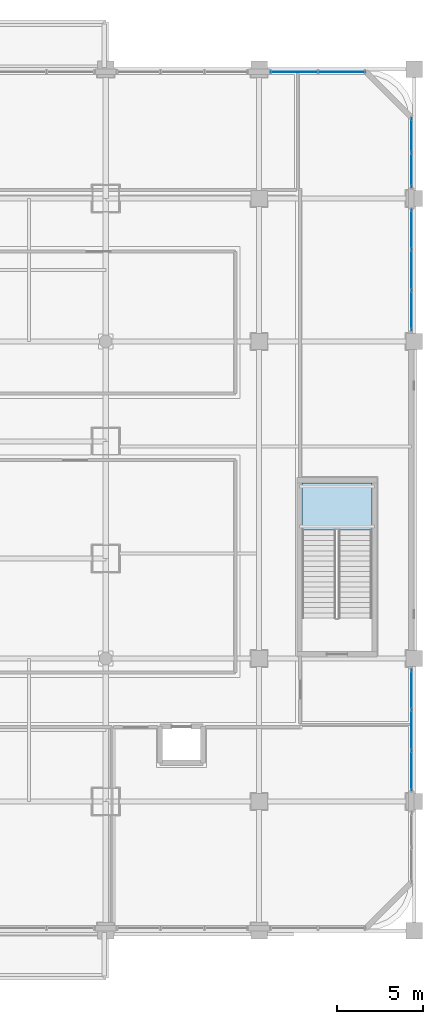
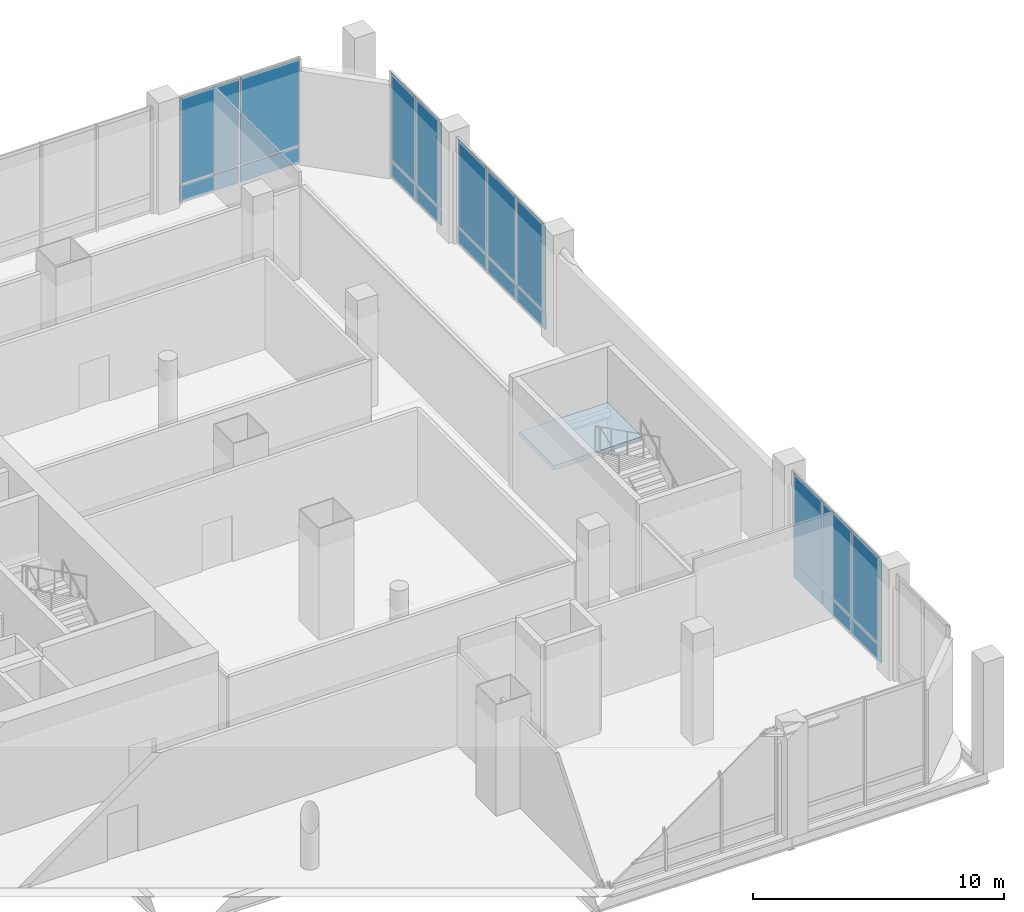
# One storey, part 26 of 43: 20 plates, 1 slab, 5 elements without a shape of their own.
"""IFC4 building model written with IfcOpenShell, lengths in metres."""

from ifc_helpers import new_model, si_unit, direction, frame, origin, origin_2d, place, context, subcontext, project, spatial, polyline, rectangle, outline, extrude, material, layer, layer_set, type_object, element, aggregate, save


model = new_model("IFC4")

# Units and contexts
model_context = context("Model", 3, precision=1e-05, world=origin(), true_north=direction((0.0, 1.0)))
body_context = subcontext(model_context, "Body", "Model", "MODEL_VIEW")
ifc_project = project(units=[si_unit("LENGTHUNIT", "METRE"), si_unit("AREAUNIT", "SQUARE_METRE"), si_unit("VOLUMEUNIT", "CUBIC_METRE"), si_unit("PLANEANGLEUNIT", "RADIAN"), si_unit("MASSUNIT", "GRAM", prefix="KILO")], contexts=[model_context])

# Site, building, storey
site_placement = place(None, origin())
site = spatial("IfcSite", under=ifc_project, at=site_placement, CompositionType="ELEMENT")
building_placement = place(site_placement, origin())
building = spatial("IfcBuilding", under=site, at=building_placement, Name="Punatoya Terracotta Tower", CompositionType="ELEMENT")
storey_placement = place(building_placement, frame((0.0, 0.0, 6.0)))
storey = spatial("IfcBuildingStorey", under=building, at=storey_placement, Name="L01", CompositionType="ELEMENT", Elevation=6.0)

# Curtain wall, plates
ifc_material_1 = material(Name="Aluminium 6063-T6 + Double Low-E Glass", Category="aluminium")
curtain_wall_type = type_object("IfcCurtainWallType", Name="CW-POD", PredefinedType="NOTDEFINED", material=ifc_material_1)
curtain_wall_1_placement = place(storey_placement, origin())
curtain_wall_1 = element("IfcCurtainWall", 1, at=curtain_wall_1_placement, inside=storey, type_object=curtain_wall_type, Name="L01 Curtain Wall CWP-L01-N7", PredefinedType="NOTDEFINED")
ifc_material_2 = material(Name="Double Low-E Clear Vision Glass", Category="glass")
ifc_layer_1 = layer(ifc_material_2, 0.028076171875)
ifc_layer_set_1 = layer_set([ifc_layer_1], Name="Double Low-E Clear Vision Glass")
plate_type_1 = type_object("IfcPlateType", Name="PLT-GLZ-28", PredefinedType="CURTAIN_PANEL", material=ifc_layer_set_1)
plate_1_placement = place(storey_placement, frame((32.804931640625, 24.840087890625, 0.89013671875), z_axis=(0.0, 0.0, 1.0), x_axis=(-1.0, 0.0, 0.0)))
plate_1 = element("IfcPlate", 2, at=plate_1_placement, type_object=plate_type_1, Name="CWP-L01-N7 Vision Glass Panel 1", PredefinedType="CURTAIN_PANEL", context=body_context, shape_type="SweptSolid", body=[
    extrude(rectangle(XDim=2.705078125, YDim=0.028076171875, at=origin_2d()), origin(), (0.0, 0.0, 1.0), 4.18994140625),
])
plate_2_placement = place(storey_placement, frame((30.014892578125, 24.840087890625, 0.89013671875), z_axis=(0.0, 0.0, 1.0), x_axis=(-1.0, 0.0, 0.0)))
plate_2 = element("IfcPlate", 3, at=plate_2_placement, type_object=plate_type_1, Name="CWP-L01-N7 Vision Glass Panel 2", PredefinedType="CURTAIN_PANEL", context=body_context, shape_type="SweptSolid", body=[
    extrude(rectangle(XDim=2.705078125, YDim=0.028076171875, at=origin_2d()), origin(), (0.0, 0.0, 1.0), 4.18994140625),
])

curtain_wall_2_placement = place(storey_placement, origin())
curtain_wall_2 = element("IfcCurtainWall", 4, at=curtain_wall_2_placement, inside=storey, type_object=curtain_wall_type, Name="L01 Curtain Wall CWP-L01-E2", PredefinedType="NOTDEFINED")
plate_3_placement = place(storey_placement, frame((36.840087890625, -10.99658203125, 0.89013671875), z_axis=(0.0, 0.0, 1.0), x_axis=(0.0, -1.0, 0.0)))
plate_3 = element("IfcPlate", 5, at=plate_3_placement, type_object=plate_type_1, Name="CWP-L01-E2 Vision Glass Panel 1", PredefinedType="CURTAIN_PANEL", context=body_context, shape_type="SweptSolid", body=[
    extrude(rectangle(XDim=2.268310546875, YDim=0.028076171875, at=origin_2d()), origin(), (0.0, 0.0, 1.0), 4.18994140625),
])
plate_4_placement = place(storey_placement, frame((36.840087890625, -13.35009765625, 0.89013671875), z_axis=(0.0, 0.0, 1.0), x_axis=(0.0, -1.0, 0.0)))
plate_4 = element("IfcPlate", 6, at=plate_4_placement, type_object=plate_type_1, Name="CWP-L01-E2 Vision Glass Panel 2", PredefinedType="CURTAIN_PANEL", context=body_context, shape_type="SweptSolid", body=[
    extrude(rectangle(XDim=2.268310546875, YDim=0.028076171875, at=origin_2d()), origin(), (0.0, 0.0, 1.0), 4.18994140625),
])
plate_5_placement = place(storey_placement, frame((36.840087890625, -15.703369140625, 0.89013671875), z_axis=(0.0, 0.0, 1.0), x_axis=(0.0, -1.0, 0.0)))
plate_5 = element("IfcPlate", 7, at=plate_5_placement, type_object=plate_type_1, Name="CWP-L01-E2 Vision Glass Panel 3", PredefinedType="CURTAIN_PANEL", context=body_context, shape_type="SweptSolid", body=[
    extrude(rectangle(XDim=2.268310546875, YDim=0.028076171875, at=origin_2d()), origin(), (0.0, 0.0, 1.0), 4.18994140625),
])

curtain_wall_3_placement = place(storey_placement, origin())
curtain_wall_3 = element("IfcCurtainWall", 8, at=curtain_wall_3_placement, inside=storey, type_object=curtain_wall_type, Name="L01 Curtain Wall CWP-L01-E3", PredefinedType="NOTDEFINED")
plate_6_placement = place(storey_placement, frame((36.840087890625, 15.703369140625, 0.89013671875), z_axis=(0.0, 0.0, 1.0), x_axis=(0.0, -1.0, 0.0)))
plate_6 = element("IfcPlate", 9, at=plate_6_placement, type_object=plate_type_1, Name="CWP-L01-E3 Vision Glass Panel 1", PredefinedType="CURTAIN_PANEL", context=body_context, shape_type="SweptSolid", body=[
    extrude(rectangle(XDim=2.268310546875, YDim=0.028076171875, at=origin_2d()), origin(), (0.0, 0.0, 1.0), 4.18994140625),
])
plate_7_placement = place(storey_placement, frame((36.840087890625, 13.35009765625, 0.89013671875), z_axis=(0.0, 0.0, 1.0), x_axis=(0.0, -1.0, 0.0)))
plate_7 = element("IfcPlate", 10, at=plate_7_placement, type_object=plate_type_1, Name="CWP-L01-E3 Vision Glass Panel 2", PredefinedType="CURTAIN_PANEL", context=body_context, shape_type="SweptSolid", body=[
    extrude(rectangle(XDim=2.268310546875, YDim=0.028076171875, at=origin_2d()), origin(), (0.0, 0.0, 1.0), 4.18994140625),
])
plate_8_placement = place(storey_placement, frame((36.840087890625, 10.99658203125, 0.89013671875), z_axis=(0.0, 0.0, 1.0), x_axis=(0.0, -1.0, 0.0)))
plate_8 = element("IfcPlate", 11, at=plate_8_placement, type_object=plate_type_1, Name="CWP-L01-E3 Vision Glass Panel 3", PredefinedType="CURTAIN_PANEL", context=body_context, shape_type="SweptSolid", body=[
    extrude(rectangle(XDim=2.268310546875, YDim=0.028076171875, at=origin_2d()), origin(), (0.0, 0.0, 1.0), 4.18994140625),
])

curtain_wall_4_placement = place(storey_placement, origin())
curtain_wall_4 = element("IfcCurtainWall", 12, at=curtain_wall_4_placement, inside=storey, type_object=curtain_wall_type, Name="L01 Curtain Wall CWP-L01-E4", PredefinedType="NOTDEFINED")
plate_9_placement = place(storey_placement, frame((36.840087890625, 21.179931640625, 0.89013671875), z_axis=(0.0, 0.0, 1.0), x_axis=(0.0, -1.0, 0.0)))
plate_9 = element("IfcPlate", 13, at=plate_9_placement, type_object=plate_type_1, Name="CWP-L01-E4 Vision Glass Panel 1", PredefinedType="CURTAIN_PANEL", context=body_context, shape_type="SweptSolid", body=[
    extrude(rectangle(XDim=1.955078125, YDim=0.028076171875, at=origin_2d()), origin(), (0.0, 0.0, 1.0), 4.18994140625),
])
plate_10_placement = place(storey_placement, frame((36.840087890625, 19.139892578125, 0.89013671875), z_axis=(0.0, 0.0, 1.0), x_axis=(0.0, -1.0, 0.0)))
plate_10 = element("IfcPlate", 14, at=plate_10_placement, type_object=plate_type_1, Name="CWP-L01-E4 Vision Glass Panel 2", PredefinedType="CURTAIN_PANEL", context=body_context, shape_type="SweptSolid", body=[
    extrude(rectangle(XDim=1.955078125, YDim=0.028076171875, at=origin_2d()), origin(), (0.0, 0.0, 1.0), 4.18994140625),
])

# Plate
ifc_material_3 = material(Name="Insulated Terracotta-Backed Spandrel Panel", Category="masonry")
ifc_layer_2 = layer(ifc_material_3, 0.044921875)
ifc_layer_set_2 = layer_set([ifc_layer_2], Name="Insulated Terracotta-Backed Spandrel Panel")
plate_type_2 = type_object("IfcPlateType", Name="PLT-SPN-45", PredefinedType="CURTAIN_PANEL", material=ifc_layer_set_2)
plate_11_placement = place(storey_placement, frame((32.804931640625, 24.840087890625, 0.0400390625), z_axis=(0.0, 0.0, 1.0), x_axis=(-1.0, 0.0, 0.0)))
plate_11 = element("IfcPlate", 15, at=plate_11_placement, type_object=plate_type_2, Name="CWP-L01-N7 Terracotta Spandrel Panel 1", PredefinedType="CURTAIN_PANEL", context=body_context, shape_type="SweptSolid", body=[
    extrude(rectangle(XDim=2.705078125, YDim=0.044921875, at=origin_2d()), origin(), (0.0, 0.0, 1.0), 0.77490234375),
])

plate_12_placement = place(storey_placement, frame((30.014892578125, 24.840087890625, 0.0400390625), z_axis=(0.0, 0.0, 1.0), x_axis=(-1.0, 0.0, 0.0)))
plate_12 = element("IfcPlate", 16, at=plate_12_placement, type_object=plate_type_2, Name="CWP-L01-N7 Terracotta Spandrel Panel 2", PredefinedType="CURTAIN_PANEL", context=body_context, shape_type="SweptSolid", body=[
    extrude(rectangle(XDim=2.705078125, YDim=0.044921875, at=origin_2d()), origin(), (0.0, 0.0, 1.0), 0.77490234375),
])

aggregate(curtain_wall_1, [plate_11, plate_1, plate_12, plate_2])

plate_13_placement = place(storey_placement, frame((36.840087890625, -10.99658203125, 0.0400390625), z_axis=(0.0, 0.0, 1.0), x_axis=(0.0, -1.0, 0.0)))
plate_13 = element("IfcPlate", 17, at=plate_13_placement, type_object=plate_type_2, Name="CWP-L01-E2 Terracotta Spandrel Panel 1", PredefinedType="CURTAIN_PANEL", context=body_context, shape_type="SweptSolid", body=[
    extrude(rectangle(XDim=2.268310546875, YDim=0.044921875, at=origin_2d()), origin(), (0.0, 0.0, 1.0), 0.77490234375),
])

plate_14_placement = place(storey_placement, frame((36.840087890625, -13.35009765625, 0.0400390625), z_axis=(0.0, 0.0, 1.0), x_axis=(0.0, -1.0, 0.0)))
plate_14 = element("IfcPlate", 18, at=plate_14_placement, type_object=plate_type_2, Name="CWP-L01-E2 Terracotta Spandrel Panel 2", PredefinedType="CURTAIN_PANEL", context=body_context, shape_type="SweptSolid", body=[
    extrude(rectangle(XDim=2.268310546875, YDim=0.044921875, at=origin_2d()), origin(), (0.0, 0.0, 1.0), 0.77490234375),
])

plate_15_placement = place(storey_placement, frame((36.840087890625, -15.703369140625, 0.0400390625), z_axis=(0.0, 0.0, 1.0), x_axis=(0.0, -1.0, 0.0)))
plate_15 = element("IfcPlate", 19, at=plate_15_placement, type_object=plate_type_2, Name="CWP-L01-E2 Terracotta Spandrel Panel 3", PredefinedType="CURTAIN_PANEL", context=body_context, shape_type="SweptSolid", body=[
    extrude(rectangle(XDim=2.268310546875, YDim=0.044921875, at=origin_2d()), origin(), (0.0, 0.0, 1.0), 0.77490234375),
])

aggregate(curtain_wall_2, [plate_13, plate_3, plate_14, plate_4, plate_15, plate_5])

plate_16_placement = place(storey_placement, frame((36.840087890625, 15.703369140625, 0.0400390625), z_axis=(0.0, 0.0, 1.0), x_axis=(0.0, -1.0, 0.0)))
plate_16 = element("IfcPlate", 20, at=plate_16_placement, type_object=plate_type_2, Name="CWP-L01-E3 Terracotta Spandrel Panel 1", PredefinedType="CURTAIN_PANEL", context=body_context, shape_type="SweptSolid", body=[
    extrude(rectangle(XDim=2.268310546875, YDim=0.044921875, at=origin_2d()), origin(), (0.0, 0.0, 1.0), 0.77490234375),
])

plate_17_placement = place(storey_placement, frame((36.840087890625, 13.35009765625, 0.0400390625), z_axis=(0.0, 0.0, 1.0), x_axis=(0.0, -1.0, 0.0)))
plate_17 = element("IfcPlate", 21, at=plate_17_placement, type_object=plate_type_2, Name="CWP-L01-E3 Terracotta Spandrel Panel 2", PredefinedType="CURTAIN_PANEL", context=body_context, shape_type="SweptSolid", body=[
    extrude(rectangle(XDim=2.268310546875, YDim=0.044921875, at=origin_2d()), origin(), (0.0, 0.0, 1.0), 0.77490234375),
])

plate_18_placement = place(storey_placement, frame((36.840087890625, 10.99658203125, 0.0400390625), z_axis=(0.0, 0.0, 1.0), x_axis=(0.0, -1.0, 0.0)))
plate_18 = element("IfcPlate", 22, at=plate_18_placement, type_object=plate_type_2, Name="CWP-L01-E3 Terracotta Spandrel Panel 3", PredefinedType="CURTAIN_PANEL", context=body_context, shape_type="SweptSolid", body=[
    extrude(rectangle(XDim=2.268310546875, YDim=0.044921875, at=origin_2d()), origin(), (0.0, 0.0, 1.0), 0.77490234375),
])

aggregate(curtain_wall_3, [plate_16, plate_6, plate_17, plate_7, plate_18, plate_8])

plate_19_placement = place(storey_placement, frame((36.840087890625, 21.179931640625, 0.0400390625), z_axis=(0.0, 0.0, 1.0), x_axis=(0.0, -1.0, 0.0)))
plate_19 = element("IfcPlate", 23, at=plate_19_placement, type_object=plate_type_2, Name="CWP-L01-E4 Terracotta Spandrel Panel 1", PredefinedType="CURTAIN_PANEL", context=body_context, shape_type="SweptSolid", body=[
    extrude(rectangle(XDim=1.955078125, YDim=0.044921875, at=origin_2d()), origin(), (0.0, 0.0, 1.0), 0.77490234375),
])

plate_20_placement = place(storey_placement, frame((36.840087890625, 19.139892578125, 0.0400390625), z_axis=(0.0, 0.0, 1.0), x_axis=(0.0, -1.0, 0.0)))
plate_20 = element("IfcPlate", 24, at=plate_20_placement, type_object=plate_type_2, Name="CWP-L01-E4 Terracotta Spandrel Panel 2", PredefinedType="CURTAIN_PANEL", context=body_context, shape_type="SweptSolid", body=[
    extrude(rectangle(XDim=1.955078125, YDim=0.044921875, at=origin_2d()), origin(), (0.0, 0.0, 1.0), 0.77490234375),
])

aggregate(curtain_wall_4, [plate_19, plate_9, plate_20, plate_10])

# Stair, slab
ifc_material_4 = material(Name="Concrete C40/50", Category="concrete")
stair_type = type_object("IfcStairType", Name="STR-POD-1800", PredefinedType="HALF_TURN_STAIR", material=ifc_material_4)
stair_placement = place(storey_placement, origin())
stair = element("IfcStair", 25, at=stair_placement, inside=storey, type_object=stair_type, Name="L01 Podium East Exit Stair ST-P2", PredefinedType="HALF_TURN_STAIR")
ifc_layer_3 = layer(ifc_material_4, 0.179931640625)
ifc_layer_set_3 = layer_set([ifc_layer_3], Name="Concrete C40/50")
slab_type = type_object("IfcSlabType", Name="SLB-LND-180", PredefinedType="LANDING", material=ifc_layer_set_3)
slab_placement = place(storey_placement, frame((0.0, 0.0, 2.5)))
slab = element("IfcSlab", 26, at=slab_placement, type_object=slab_type, Name="ST-P2 landing 1", PredefinedType="LANDING", context=body_context, shape_type="SweptSolid", body=[
    extrude(outline(polyline([(34.550048828125, -1.75), (34.550048828125, 1.0), (30.5, 1.0), (30.5, -1.75), (34.550048828125, -1.75)])), origin(), (0.0, 0.0, 1.0), 0.199951171875),
])
aggregate(stair, [slab])

save(model, "model.ifc")
